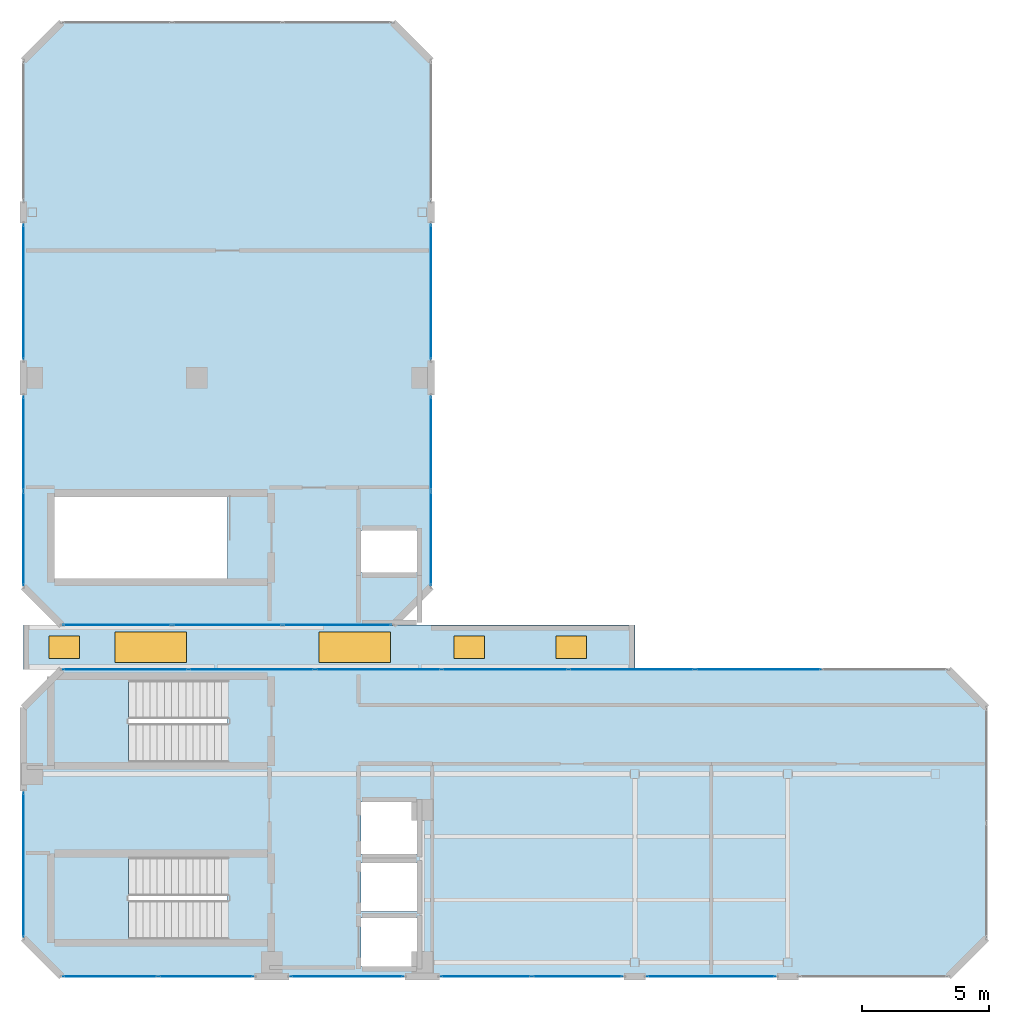
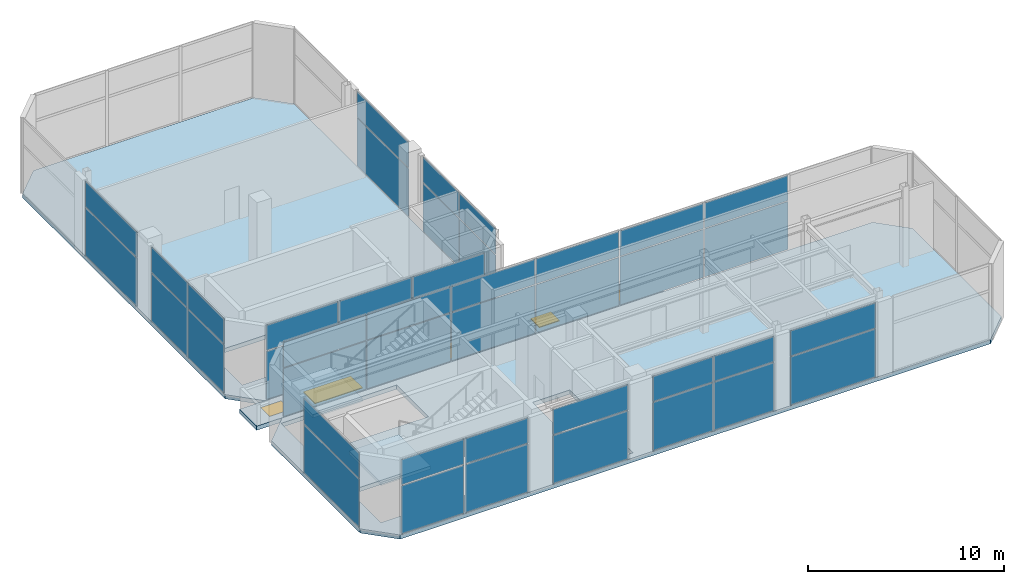
# One storey, part 15 of 18: 44 plates, 5 slabs, 3 doors, 2 windows, 5 openings, 13 elements without a shape of their own.
"""IFC4 building model written with IfcOpenShell, lengths in metres."""

import ifcopenshell
import ifcopenshell.guid

model = None  # the IFC model being written
_history = None  # IfcOwnerHistory: only IFC2X3 demands one
_inside = {}  # id of a spatial element -> (the spatial element, [elements in it])
_under = {}  # id of a project, library or spatial element -> (it, [spatial elements below it])
_declared = {}  # id of a project -> (the project, [libraries it declares])
_typed = {}  # id of a type object -> (the type object, [elements of that type])
_made_of = {}  # id of a material, layer set ... -> (it, [elements and type objects made of it])


def new_model(schema):
    """Start an empty IFC model of exactly this schema.

    Asked for "IFC4X3", IfcOpenShell would pick the latest addendum, in which some entities
    have other attributes; the version numbers below select the first issue.
    IFC2X3 requires an IfcOwnerHistory on every rooted entity: one is made here for all.
    """
    global model, _history
    if schema == "IFC4X3":
        model = ifcopenshell.file(schema_version=(4, 3, 0, 0))
    else:
        model = ifcopenshell.file(schema=schema)
    _inside.clear()
    _under.clear()
    _declared.clear()
    _typed.clear()
    _made_of.clear()
    _history = None
    if model.schema == "IFC2X3":
        org = make("IfcOrganization", Name="unknown")
        user = make(
            "IfcPersonAndOrganization",
            ThePerson=make("IfcPerson", FamilyName="unknown"),
            TheOrganization=org,
        )
        app = make(
            "IfcApplication",
            ApplicationDeveloper=org,
            Version="unknown",
            ApplicationFullName="unknown",
            ApplicationIdentifier="unknown",
        )
        _history = make(
            "IfcOwnerHistory",
            OwningUser=user,
            OwningApplication=app,
            ChangeAction="ADDED",
            CreationDate=0,
        )
    return model


def make(cls, **values):
    """One entity of the class cls with the attributes given. An attribute that is None is left unset."""
    return model.create_entity(
        cls, **{name: value for name, value in values.items() if value is not None}
    )


def rooted(cls, **values):
    """An entity with a GlobalId (a new one), such as an element, a storey or a relation."""
    return make(cls, GlobalId=ifcopenshell.guid.new(), OwnerHistory=_history, **values)


def si_unit(unit_type, name, prefix=None):
    """IfcSIUnit, for example si_unit("LENGTHUNIT", "METRE", prefix="MILLI")."""
    return make("IfcSIUnit", UnitType=unit_type, Prefix=prefix, Name=name)


def assignment(units):
    """IfcUnitAssignment: the units of a project."""
    return None if units is None else make("IfcUnitAssignment", Units=units)


def point(xyz):
    """IfcCartesianPoint."""
    return None if xyz is None else make("IfcCartesianPoint", Coordinates=xyz)


def direction(xyz):
    """IfcDirection."""
    return None if xyz is None else make("IfcDirection", DirectionRatios=xyz)


def frame(location, z_axis=None, x_axis=None):
    """IfcAxis2Placement3D, a coordinate frame: its origin and axes. An axis left out is left unset."""
    return make(
        "IfcAxis2Placement3D",
        Location=point(location),
        Axis=direction(z_axis),
        RefDirection=direction(x_axis),
    )


def frame_2d(location, x_axis=None):
    """IfcAxis2Placement2D, a coordinate frame in the plane: its origin and x axis."""
    return make(
        "IfcAxis2Placement2D", Location=point(location), RefDirection=direction(x_axis)
    )


def origin():
    """The frame at (0, 0, 0) with its axes left unset."""
    return frame((0.0, 0.0, 0.0))


def origin_2d():
    """The frame at (0, 0) in the plane with its x axis left unset."""
    return frame_2d((0.0, 0.0))


def place(relative_to, where):
    """IfcLocalPlacement: puts the frame where relative to a parent placement (None: the world)."""
    return make(
        "IfcLocalPlacement", PlacementRelTo=relative_to, RelativePlacement=where
    )


def context(
    kind, dimensions, precision=None, world=None, true_north=None, identifier=None
):
    """IfcGeometricRepresentationContext, for example the 3D "Model" context."""
    return make(
        "IfcGeometricRepresentationContext",
        ContextIdentifier=identifier,
        ContextType=kind,
        CoordinateSpaceDimension=dimensions,
        Precision=precision,
        WorldCoordinateSystem=world,
        TrueNorth=true_north,
    )


def subcontext(parent, identifier, kind, view, scale=None):
    """IfcGeometricRepresentationSubContext, for example "Body" below "Model"."""
    return make(
        "IfcGeometricRepresentationSubContext",
        ContextIdentifier=identifier,
        ContextType=kind,
        ParentContext=parent,
        TargetScale=scale,
        TargetView=view,
    )


def project(units=None, contexts=None):
    """IfcProject with its units and contexts."""
    return rooted(
        "IfcProject",
        Name="project",
        RepresentationContexts=contexts,
        UnitsInContext=assignment(units),
    )


def spatial(cls, under=None, at=None, **own):
    """A site, building, storey or space (cls), placed at a placement, below another one or the project."""
    s = rooted(cls, ObjectPlacement=at, **own)
    if under is not None:
        _under.setdefault(under.id(), (under, []))[1].append(s)
    return s


def polyline(points):
    """IfcPolyline through the points."""
    return make("IfcPolyline", Points=[point(p) for p in points])


def profile(cls, at=None, kind="AREA", **sizes):
    """A parametric profile (cls). Its sizes go by their IFC names, for example OverallWidth=200.0."""
    return make(cls, ProfileType=kind, Position=at, **sizes)


def rectangle(**sizes):
    """IfcRectangleProfileDef."""
    return profile("IfcRectangleProfileDef", **sizes)


def outline(outer, holes=None, kind="AREA"):
    """IfcArbitraryClosedProfileDef: a profile drawn as a closed curve; with holes, ...WithVoids."""
    if holes is None:
        return make("IfcArbitraryClosedProfileDef", ProfileType=kind, OuterCurve=outer)
    return make(
        "IfcArbitraryProfileDefWithVoids",
        ProfileType=kind,
        OuterCurve=outer,
        InnerCurves=holes,
    )


def extrude(swept, where, along, depth):
    """IfcExtrudedAreaSolid: the profile swept, set in the frame where, extruded along a direction by depth."""
    return make(
        "IfcExtrudedAreaSolid",
        SweptArea=swept,
        Position=where,
        ExtrudedDirection=direction(along),
        Depth=depth,
    )


def shape(context_of_items, identifier, shape_type, items):
    """IfcShapeRepresentation: the items that make up one representation, for example the "Body"."""
    return make(
        "IfcShapeRepresentation",
        ContextOfItems=context_of_items,
        RepresentationIdentifier=identifier,
        RepresentationType=shape_type,
        Items=items,
    )


def material(Name=None, Category=None):
    """IfcMaterial."""
    return make("IfcMaterial", Name=Name, Category=Category)


def layer(
    of_material, thickness, ventilated=None, Name=None, Category=None, Priority=None
):
    """IfcMaterialLayer: one layer of a wall or slab, of a material (None: an air gap)."""
    return make(
        "IfcMaterialLayer",
        Material=of_material,
        LayerThickness=thickness,
        IsVentilated=ventilated,
        Name=Name,
        Category=Category,
        Priority=Priority,
    )


def layer_set(layers, Name=None):
    """IfcMaterialLayerSet."""
    return make("IfcMaterialLayerSet", MaterialLayers=layers, LayerSetName=Name)


def made_of(thing, what):
    """Note that an element or type object is made of a material, layer set ...; save() writes the relation."""
    if what is not None:
        _made_of.setdefault(what.id(), (what, []))[1].append(thing)
    return thing


def type_object(cls, material=None, **own):
    """A type object (cls), such as IfcWallType, which elements share."""
    return made_of(rooted(cls, **own), material)


def element(
    cls,
    number,
    at=None,
    inside=None,
    cuts=None,
    type_object=None,
    material=None,
    context=None,
    identifier="Body",
    shape_type=None,
    held_by="IfcProductDefinitionShape",
    body=None,
    shapes=None,
    **own,
):
    """One element of the class cls, such as IfcWall. Its Tag is "e" and its number.

    at: its placement. inside: the storey or other place that contains it. cuts: it is an
    opening in that element (IfcRelVoidsElement). A single representation is given by context,
    identifier, shape_type and body (its items); several are given by shapes. held_by: the class
    of the entity that holds the representations. save() writes the other relations.
    """
    e = rooted(cls, Tag="e%d" % number, ObjectPlacement=at, **own)
    if body is not None:
        shapes = [shape(context, identifier, shape_type, body)]
    if shapes is not None:
        e.Representation = make(held_by, Representations=shapes)
    if inside is not None:
        _inside.setdefault(inside.id(), (inside, []))[1].append(e)
    if cuts is not None:
        rooted(
            "IfcRelVoidsElement", RelatingBuildingElement=cuts, RelatedOpeningElement=e
        )
    if type_object is not None:
        _typed.setdefault(type_object.id(), (type_object, []))[1].append(e)
    return made_of(e, material)


def fill(opening, filler):
    """IfcRelFillsElement: the door or window that sits in an opening."""
    return rooted(
        "IfcRelFillsElement",
        RelatingOpeningElement=opening,
        RelatedBuildingElement=filler,
    )


def aggregate(whole, parts):
    """IfcRelAggregates: a whole, such as a stair, and the parts it consists of."""
    return rooted("IfcRelAggregates", RelatingObject=whole, RelatedObjects=parts)


def save(model, path):
    """Write the relations noted so far, then the file.

    IfcRelAggregates (storeys below a building ...), IfcRelContainedInSpatialStructure (elements
    in a storey), IfcRelDefinesByType, IfcRelAssociatesMaterial and IfcRelDeclares: one each for
    every whole, place, type object, material and project.
    """
    for whole, parts in _under.values():
        aggregate(whole, parts)
    for where, things in _inside.values():
        rooted(
            "IfcRelContainedInSpatialStructure",
            RelatedElements=things,
            RelatingStructure=where,
        )
    for kind, things in _typed.values():
        rooted("IfcRelDefinesByType", RelatedObjects=things, RelatingType=kind)
    for what, things in _made_of.values():
        rooted("IfcRelAssociatesMaterial", RelatedObjects=things, RelatingMaterial=what)
    for by, libraries in _declared.values():
        rooted("IfcRelDeclares", RelatingContext=by, RelatedDefinitions=libraries)
    model.write(path)


model = new_model("IFC4")

# Units and contexts
model_context = context("Model", 3, precision=1e-05, world=origin(), true_north=direction((0.0, 1.0)))
body_context = subcontext(model_context, "Body", "Model", "MODEL_VIEW")
ifc_project = project(units=[si_unit("LENGTHUNIT", "METRE"), si_unit("AREAUNIT", "SQUARE_METRE"), si_unit("VOLUMEUNIT", "CUBIC_METRE"), si_unit("PLANEANGLEUNIT", "RADIAN"), si_unit("MASSUNIT", "GRAM", prefix="KILO")], contexts=[model_context])

# Site, building, storey
site_placement = place(None, origin())
site = spatial("IfcSite", under=ifc_project, at=site_placement, CompositionType="ELEMENT")
building_placement = place(site_placement, origin())
building = spatial("IfcBuilding", under=site, at=building_placement, Name="Mawjaban Terraces University", CompositionType="ELEMENT")
storey_placement = place(building_placement, frame((0.0, 0.0, 316.699951171875)))
storey = spatial("IfcBuildingStorey", under=building, at=storey_placement, Name="L77", CompositionType="ELEMENT", Elevation=316.699951171875)

# Slabs
ifc_material_1 = material(Name="Concrete C40/50", Category="concrete")
ifc_layer_1 = layer(ifc_material_1, 0.260009765625)
ifc_layer_set_1 = layer_set([ifc_layer_1], Name="Concrete C40/50")
slab_type_1 = type_object("IfcSlabType", Name="DiaphragmSlab_260", PredefinedType="FLOOR", material=ifc_layer_set_1)
slab_1_placement = place(storey_placement, frame((0.0, 0.0, -0.260009765625)))
element("IfcSlab", 1, at=slab_1_placement, inside=storey, type_object=slab_type_1, Name="L77 Primary Structural Slab", PredefinedType="FLOOR", context=body_context, shape_type="SweptSolid", body=[
    extrude(outline(polyline([(23.5, 0.0), (58.300048828125, 0.0), (59.800048828125, 1.5), (59.800048828125, 10.550048828125), (58.300048828125, 12.050048828125), (23.5, 12.050048828125), (22.0, 10.550048828125), (22.0, 1.5), (23.5, 0.0)]), holes=[polyline([(30.014892578125, 4.699951171875), (23.199951171875, 4.699951171875), (23.199951171875, 1.449951171875), (30.014892578125, 1.449951171875), (30.014892578125, 4.699951171875)]), polyline([(30.014892578125, 11.64990234375), (23.199951171875, 11.64990234375), (23.199951171875, 8.39990234375), (30.014892578125, 8.39990234375), (30.014892578125, 11.64990234375)]), polyline([(35.25, 0.39990234375), (37.449951171875, 0.39990234375), (37.449951171875, 2.300048828125), (35.25, 2.300048828125), (35.25, 0.39990234375)]), polyline([(35.25, 2.550048828125), (37.449951171875, 2.550048828125), (37.449951171875, 4.449951171875), (35.25, 4.449951171875), (35.25, 2.550048828125)]), polyline([(35.25, 4.800048828125), (37.449951171875, 4.800048828125), (37.449951171875, 6.85009765625), (35.25, 6.85009765625), (35.25, 4.800048828125)])]), origin(), (0.0, 0.0, 1.0), 0.260009765625),
])
slab_2_placement = place(storey_placement, frame((0.0, 0.0, -0.260009765625)))
element("IfcSlab", 2, at=slab_2_placement, inside=storey, type_object=slab_type_1, Name="L77 North Peak Structural Slab", PredefinedType="FLOOR", context=body_context, shape_type="SweptSolid", body=[
    extrude(outline(polyline([(23.5, 13.800048828125), (36.5, 13.800048828125), (38.0, 15.300048828125), (38.0, 35.949951171875), (36.5, 37.449951171875), (23.5, 37.449951171875), (22.0, 35.949951171875), (22.0, 15.300048828125), (23.5, 13.800048828125)]), holes=[polyline([(30.014892578125, 18.85009765625), (23.199951171875, 18.85009765625), (23.199951171875, 15.60009765625), (30.014892578125, 15.60009765625), (30.014892578125, 18.85009765625)]), polyline([(35.25, 15.85009765625), (37.449951171875, 15.85009765625), (37.449951171875, 17.5), (35.25, 17.5), (35.25, 15.85009765625)])]), origin(), (0.0, 0.0, 1.0), 0.260009765625),
])

# Stair, slab
stair_type = type_object("IfcStairType", Name="Stair_Core1550_H50", PredefinedType="HALF_TURN_STAIR", material=ifc_material_1)
stair_1_placement = place(storey_placement, origin())
stair_1 = element("IfcStair", 3, at=stair_1_placement, inside=storey, type_object=stair_type, Name="L77 Core Exit Stair 1", PredefinedType="HALF_TURN_STAIR")
ifc_layer_2 = layer(ifc_material_1, 0.199951171875)
ifc_layer_set_2 = layer_set([ifc_layer_2], Name="Concrete C40/50")
slab_type_2 = type_object("IfcSlabType", Name="StairLandingSlab_200", PredefinedType="LANDING", material=ifc_layer_set_2)
slab_3_placement = place(storey_placement, frame((0.0, 0.0, 2.300048828125)))
slab_3 = element("IfcSlab", 4, at=slab_3_placement, type_object=slab_type_2, Name="ST-1 landing 1", PredefinedType="LANDING", context=body_context, shape_type="SweptSolid", body=[
    extrude(outline(polyline([(26.1298828125, 4.699951171875), (23.199951171875, 4.699951171875), (23.199951171875, 1.449951171875), (26.1298828125, 1.449951171875), (26.1298828125, 4.699951171875)])), origin(), (0.0, 0.0, 1.0), 0.199951171875),
])
aggregate(stair_1, [slab_3])

stair_2_placement = place(storey_placement, origin())
stair_2 = element("IfcStair", 5, at=stair_2_placement, inside=storey, type_object=stair_type, Name="L77 Core Exit Stair 3", PredefinedType="HALF_TURN_STAIR")
slab_4_placement = place(storey_placement, frame((0.0, 0.0, 2.300048828125)))
slab_4 = element("IfcSlab", 6, at=slab_4_placement, type_object=slab_type_2, Name="ST-3 landing 1", PredefinedType="LANDING", context=body_context, shape_type="SweptSolid", body=[
    extrude(outline(polyline([(26.1298828125, 11.64990234375), (23.199951171875, 11.64990234375), (23.199951171875, 8.39990234375), (26.1298828125, 8.39990234375), (26.1298828125, 11.64990234375)])), origin(), (0.0, 0.0, 1.0), 0.199951171875),
])
aggregate(stair_2, [slab_4])

# Slab, openings, doors, windows
ifc_layer_3 = layer(ifc_material_1, 0.260009765625)
ifc_layer_set_3 = layer_set([ifc_layer_3], Name="Concrete C40/50")
slab_type_3 = type_object("IfcSlabType", Name="TerraceRoofSlab_260_Ext", PredefinedType="ROOF", material=ifc_layer_set_3)
slab_5_placement = place(storey_placement, frame((0.0, 0.0, -0.260009765625)))
slab_5 = element("IfcSlab", 7, at=slab_5_placement, inside=storey, type_object=slab_type_3, Name="L77 Central Sky-Slot Terrace Roof Slab", PredefinedType="ROOF", context=body_context, shape_type="SweptSolid", body=[
    extrude(outline(polyline([(22.0, 12.050048828125), (46.0, 12.050048828125), (46.0, 13.800048828125), (22.0, 13.800048828125), (22.0, 12.050048828125)])), origin(), (0.0, 0.0, 1.0), 0.260009765625),
])
opening_1_placement = place(slab_5_placement, frame((27.0, 12.925048828125, 0.0)))
opening_1 = element("IfcOpeningElement", 8, at=opening_1_placement, cuts=slab_5, Name="Opening SK-02", PredefinedType="OPENING", context=body_context, shape_type="SweptSolid", body=[
    extrude(rectangle(XDim=2.800048828125, YDim=1.199951171875, at=origin_2d()), origin(), (0.0, 0.0, 1.0), 0.260009765625),
])
opening_2_placement = place(slab_5_placement, frame((35.0, 12.925048828125, 0.0)))
opening_2 = element("IfcOpeningElement", 9, at=opening_2_placement, cuts=slab_5, Name="Opening SK-02", PredefinedType="OPENING", context=body_context, shape_type="SweptSolid", body=[
    extrude(rectangle(XDim=2.800048828125, YDim=1.199951171875, at=origin_2d()), origin(), (0.0, 0.0, 1.0), 0.260009765625),
])
opening_3_placement = place(slab_5_placement, frame((23.60009765625, 12.925048828125, 0.0)))
opening_3 = element("IfcOpeningElement", 10, at=opening_3_placement, cuts=slab_5, Name="Opening RH-120", PredefinedType="OPENING", context=body_context, shape_type="SweptSolid", body=[
    extrude(rectangle(XDim=1.199951171875, YDim=0.89990234375, at=origin_2d()), origin(), (0.0, 0.0, 1.0), 0.260009765625),
])
opening_4_placement = place(slab_5_placement, frame((39.5, 12.925048828125, 0.0)))
opening_4 = element("IfcOpeningElement", 11, at=opening_4_placement, cuts=slab_5, Name="Opening RH-120", PredefinedType="OPENING", context=body_context, shape_type="SweptSolid", body=[
    extrude(rectangle(XDim=1.199951171875, YDim=0.89990234375, at=origin_2d()), origin(), (0.0, 0.0, 1.0), 0.260009765625),
])
opening_5_placement = place(slab_5_placement, frame((43.5, 12.925048828125, 0.0)))
opening_5 = element("IfcOpeningElement", 12, at=opening_5_placement, cuts=slab_5, Name="Opening RH-120", PredefinedType="OPENING", context=body_context, shape_type="SweptSolid", body=[
    extrude(rectangle(XDim=1.199951171875, YDim=0.89990234375, at=origin_2d()), origin(), (0.0, 0.0, 1.0), 0.260009765625),
])
ifc_material_2 = material(Name="Thermally broken insulated aluminium roof access hatch", Category="aluminium")
door_type = type_object("IfcDoorType", Name="RoofAccessTrapdoor_1200x900", OperationType="NOTDEFINED", PredefinedType="TRAPDOOR", material=ifc_material_2)
door_1_placement = place(opening_3_placement, frame((0.0, 0.0, 0.2099609375)))
door_1 = element("IfcDoor", 13, at=door_1_placement, inside=storey, type_object=door_type, Name="L77 Sky-Slot Maintenance Hatch 1", OperationType="SINGLE_SWING_LEFT", OverallHeight=0.89990234375, OverallWidth=1.199951171875, PredefinedType="TRAPDOOR", context=body_context, shape_type="SweptSolid", body=[
    extrude(rectangle(XDim=1.199951171875, YDim=0.89990234375, at=origin_2d()), origin(), (0.0, 0.0, 1.0), 0.050048828125),
])
fill(opening_3, door_1)
door_2_placement = place(opening_4_placement, frame((0.0, 0.0, 0.2099609375)))
door_2 = element("IfcDoor", 14, at=door_2_placement, inside=storey, type_object=door_type, Name="L77 Sky-Slot Maintenance Hatch 2", OperationType="SINGLE_SWING_LEFT", OverallHeight=0.89990234375, OverallWidth=1.199951171875, PredefinedType="TRAPDOOR", context=body_context, shape_type="SweptSolid", body=[
    extrude(rectangle(XDim=1.199951171875, YDim=0.89990234375, at=origin_2d()), origin(), (0.0, 0.0, 1.0), 0.050048828125),
])
fill(opening_4, door_2)
door_3_placement = place(opening_5_placement, frame((0.0, 0.0, 0.2099609375)))
door_3 = element("IfcDoor", 15, at=door_3_placement, inside=storey, type_object=door_type, Name="L77 Sky-Slot Maintenance Hatch 3", OperationType="SINGLE_SWING_LEFT", OverallHeight=0.89990234375, OverallWidth=1.199951171875, PredefinedType="TRAPDOOR", context=body_context, shape_type="SweptSolid", body=[
    extrude(rectangle(XDim=1.199951171875, YDim=0.89990234375, at=origin_2d()), origin(), (0.0, 0.0, 1.0), 0.050048828125),
])
fill(opening_5, door_3)
ifc_material_3 = material(Name="Low-E solar-control double glazing in thermally broken aluminium frame", Category="aluminium")
window_type = type_object("IfcWindowType", Name="Skylight_2800x1200", PartitioningType="SINGLE_PANEL", PredefinedType="SKYLIGHT", material=ifc_material_3)
window_1_placement = place(opening_1_placement, frame((0.0, 0.0, 0.2099609375)))
window_1 = element("IfcWindow", 16, at=window_1_placement, inside=storey, type_object=window_type, Name="L77 Observation Sky-Slot Skylight 1", OverallHeight=1.199951171875, OverallWidth=2.800048828125, PartitioningType="SINGLE_PANEL", PredefinedType="SKYLIGHT", context=body_context, shape_type="SweptSolid", body=[
    extrude(rectangle(XDim=2.800048828125, YDim=1.199951171875, at=origin_2d()), origin(), (0.0, 0.0, 1.0), 0.050048828125),
])
fill(opening_1, window_1)
window_2_placement = place(opening_2_placement, frame((0.0, 0.0, 0.2099609375)))
window_2 = element("IfcWindow", 17, at=window_2_placement, inside=storey, type_object=window_type, Name="L77 Observation Sky-Slot Skylight 2", OverallHeight=1.199951171875, OverallWidth=2.800048828125, PartitioningType="SINGLE_PANEL", PredefinedType="SKYLIGHT", context=body_context, shape_type="SweptSolid", body=[
    extrude(rectangle(XDim=2.800048828125, YDim=1.199951171875, at=origin_2d()), origin(), (0.0, 0.0, 1.0), 0.050048828125),
])
fill(opening_2, window_2)

# Curtain wall, plates
ifc_material_4 = material(Name="Anodised aluminium 6063-T6 and solar-control low-E glass", Category="aluminium")
ifc_layer_4 = layer(ifc_material_4, 0.199951171875)
ifc_layer_set_4 = layer_set([ifc_layer_4], Name="Anodised aluminium 6063-T6 and solar-control low-E glass")
curtain_wall_type = type_object("IfcCurtainWallType", Name="CWSystem_06_ObservationCrown", PredefinedType="NOTDEFINED", material=ifc_layer_set_4)
curtain_wall_1_placement = place(storey_placement, origin())
curtain_wall_1 = element("IfcCurtainWall", 18, at=curtain_wall_1_placement, inside=storey, type_object=curtain_wall_type, Name="L77 Curtain Wall CW-06 Run 1.1", PredefinedType="NOTDEFINED")
ifc_material_5 = material(Name="Low-E solar-control double glazing", Category="glass")
ifc_layer_5 = layer(ifc_material_5, 0.035888671875)
ifc_layer_set_5 = layer_set([ifc_layer_5], Name="Low-E solar-control double glazing")
plate_type = type_object("IfcPlateType", Name="VisionPanel_CW-06", PredefinedType="CURTAIN_PANEL", material=ifc_layer_set_5)
plate_1_placement = place(storey_placement, frame((25.409912109375, 0.0, 0.06005859375), z_axis=(0.0, 0.0, 1.0), x_axis=(1.0, 0.0, 0.0)))
plate_1 = element("IfcPlate", 19, at=plate_1_placement, type_object=plate_type, Name="CW-06 panel 1.1", PredefinedType="CURTAIN_PANEL", context=body_context, shape_type="SweptSolid", body=[
    extrude(rectangle(XDim=3.68994140625, YDim=0.028076171875, at=origin_2d()), origin(), (0.0, 0.0, 1.0), 2.990966796875),
])
plate_2_placement = place(storey_placement, frame((25.409912109375, 0.0, 3.11083984375), z_axis=(0.0, 0.0, 1.0), x_axis=(1.0, 0.0, 0.0)))
plate_2 = element("IfcPlate", 20, at=plate_2_placement, type_object=plate_type, Name="CW-06 panel 1.2", PredefinedType="CURTAIN_PANEL", context=body_context, shape_type="SweptSolid", body=[
    extrude(rectangle(XDim=3.68994140625, YDim=0.028076171875, at=origin_2d()), origin(), (0.0, 0.0, 1.0), 1.569091796875),
])
plate_3_placement = place(storey_placement, frame((29.1650390625, 0.0, 0.06005859375), z_axis=(0.0, 0.0, 1.0), x_axis=(1.0, 0.0, 0.0)))
plate_3 = element("IfcPlate", 21, at=plate_3_placement, type_object=plate_type, Name="CW-06 panel 2.1", PredefinedType="CURTAIN_PANEL", context=body_context, shape_type="SweptSolid", body=[
    extrude(rectangle(XDim=3.68994140625, YDim=0.028076171875, at=origin_2d()), origin(), (0.0, 0.0, 1.0), 2.990966796875),
])
plate_4_placement = place(storey_placement, frame((29.1650390625, 0.0, 3.11083984375), z_axis=(0.0, 0.0, 1.0), x_axis=(1.0, 0.0, 0.0)))
plate_4 = element("IfcPlate", 22, at=plate_4_placement, type_object=plate_type, Name="CW-06 panel 2.2", PredefinedType="CURTAIN_PANEL", context=body_context, shape_type="SweptSolid", body=[
    extrude(rectangle(XDim=3.68994140625, YDim=0.028076171875, at=origin_2d()), origin(), (0.0, 0.0, 1.0), 1.569091796875),
])
aggregate(curtain_wall_1, [plate_1, plate_2, plate_3, plate_4])

curtain_wall_2_placement = place(storey_placement, origin())
curtain_wall_2 = element("IfcCurtainWall", 23, at=curtain_wall_2_placement, inside=storey, type_object=curtain_wall_type, Name="L77 Curtain Wall CW-06 Run 1.2", PredefinedType="NOTDEFINED")
plate_5_placement = place(storey_placement, frame((34.699951171875, 0.0, 0.06005859375), z_axis=(0.0, 0.0, 1.0), x_axis=(1.0, 0.0, 0.0)))
plate_5 = element("IfcPlate", 24, at=plate_5_placement, type_object=plate_type, Name="CW-06 panel 1.1", PredefinedType="CURTAIN_PANEL", context=body_context, shape_type="SweptSolid", body=[
    extrude(rectangle(XDim=4.419921875, YDim=0.028076171875, at=origin_2d()), origin(), (0.0, 0.0, 1.0), 2.990966796875),
])
plate_6_placement = place(storey_placement, frame((34.699951171875, 0.0, 3.11083984375), z_axis=(0.0, 0.0, 1.0), x_axis=(1.0, 0.0, 0.0)))
plate_6 = element("IfcPlate", 25, at=plate_6_placement, type_object=plate_type, Name="CW-06 panel 1.2", PredefinedType="CURTAIN_PANEL", context=body_context, shape_type="SweptSolid", body=[
    extrude(rectangle(XDim=4.419921875, YDim=0.028076171875, at=origin_2d()), origin(), (0.0, 0.0, 1.0), 1.569091796875),
])
aggregate(curtain_wall_2, [plate_5, plate_6])

curtain_wall_3_placement = place(storey_placement, origin())
curtain_wall_3 = element("IfcCurtainWall", 26, at=curtain_wall_3_placement, inside=storey, type_object=curtain_wall_type, Name="L77 Curtain Wall CW-06 Run 1.3", PredefinedType="NOTDEFINED")
plate_7_placement = place(storey_placement, frame((40.15380859375, 0.0, 0.06005859375), z_axis=(0.0, 0.0, 1.0), x_axis=(1.0, 0.0, 0.0)))
plate_7 = element("IfcPlate", 27, at=plate_7_placement, type_object=plate_type, Name="CW-06 panel 1.1", PredefinedType="CURTAIN_PANEL", context=body_context, shape_type="SweptSolid", body=[
    extrude(rectangle(XDim=3.527587890625, YDim=0.028076171875, at=origin_2d()), origin(), (0.0, 0.0, 1.0), 2.990966796875),
])
plate_8_placement = place(storey_placement, frame((40.15380859375, 0.0, 3.11083984375), z_axis=(0.0, 0.0, 1.0), x_axis=(1.0, 0.0, 0.0)))
plate_8 = element("IfcPlate", 28, at=plate_8_placement, type_object=plate_type, Name="CW-06 panel 1.2", PredefinedType="CURTAIN_PANEL", context=body_context, shape_type="SweptSolid", body=[
    extrude(rectangle(XDim=3.527587890625, YDim=0.028076171875, at=origin_2d()), origin(), (0.0, 0.0, 1.0), 1.569091796875),
])
plate_9_placement = place(storey_placement, frame((43.746337890625, 0.0, 0.06005859375), z_axis=(0.0, 0.0, 1.0), x_axis=(1.0, 0.0, 0.0)))
plate_9 = element("IfcPlate", 29, at=plate_9_placement, type_object=plate_type, Name="CW-06 panel 2.1", PredefinedType="CURTAIN_PANEL", context=body_context, shape_type="SweptSolid", body=[
    extrude(rectangle(XDim=3.527587890625, YDim=0.028076171875, at=origin_2d()), origin(), (0.0, 0.0, 1.0), 2.990966796875),
])
plate_10_placement = place(storey_placement, frame((43.746337890625, 0.0, 3.11083984375), z_axis=(0.0, 0.0, 1.0), x_axis=(1.0, 0.0, 0.0)))
plate_10 = element("IfcPlate", 30, at=plate_10_placement, type_object=plate_type, Name="CW-06 panel 2.2", PredefinedType="CURTAIN_PANEL", context=body_context, shape_type="SweptSolid", body=[
    extrude(rectangle(XDim=3.527587890625, YDim=0.028076171875, at=origin_2d()), origin(), (0.0, 0.0, 1.0), 1.569091796875),
])
aggregate(curtain_wall_3, [plate_7, plate_8, plate_9, plate_10])

curtain_wall_4_placement = place(storey_placement, origin())
curtain_wall_4 = element("IfcCurtainWall", 31, at=curtain_wall_4_placement, inside=storey, type_object=curtain_wall_type, Name="L77 Curtain Wall CW-06 Run 1.4", PredefinedType="NOTDEFINED")
plate_11_placement = place(storey_placement, frame((49.0, 0.0, 0.06005859375), z_axis=(0.0, 0.0, 1.0), x_axis=(1.0, 0.0, 0.0)))
plate_11 = element("IfcPlate", 32, at=plate_11_placement, type_object=plate_type, Name="CW-06 panel 1.1", PredefinedType="CURTAIN_PANEL", context=body_context, shape_type="SweptSolid", body=[
    extrude(rectangle(XDim=5.02001953125, YDim=0.028076171875, at=origin_2d()), origin(), (0.0, 0.0, 1.0), 2.990966796875),
])
plate_12_placement = place(storey_placement, frame((49.0, 0.0, 3.11083984375), z_axis=(0.0, 0.0, 1.0), x_axis=(1.0, 0.0, 0.0)))
plate_12 = element("IfcPlate", 33, at=plate_12_placement, type_object=plate_type, Name="CW-06 panel 1.2", PredefinedType="CURTAIN_PANEL", context=body_context, shape_type="SweptSolid", body=[
    extrude(rectangle(XDim=5.02001953125, YDim=0.028076171875, at=origin_2d()), origin(), (0.0, 0.0, 1.0), 1.569091796875),
])
aggregate(curtain_wall_4, [plate_11, plate_12])

curtain_wall_5_placement = place(storey_placement, origin())
curtain_wall_5 = element("IfcCurtainWall", 34, at=curtain_wall_5_placement, inside=storey, type_object=curtain_wall_type, Name="L77 Curtain Wall CW-06 Run 5.1", PredefinedType="NOTDEFINED")
plate_13_placement = place(storey_placement, frame((50.8427734375, 12.050048828125, 0.06005859375), z_axis=(0.0, 0.0, 1.0), x_axis=(-1.0, 0.0, 0.0)))
plate_13 = element("IfcPlate", 35, at=plate_13_placement, type_object=plate_type, Name="CW-06 panel 2.1", PredefinedType="CURTAIN_PANEL", context=body_context, shape_type="SweptSolid", body=[
    extrude(rectangle(XDim=4.906494140625, YDim=0.028076171875, at=origin_2d()), origin(), (0.0, 0.0, 1.0), 2.990966796875),
])
plate_14_placement = place(storey_placement, frame((50.8427734375, 12.050048828125, 3.11083984375), z_axis=(0.0, 0.0, 1.0), x_axis=(-1.0, 0.0, 0.0)))
plate_14 = element("IfcPlate", 36, at=plate_14_placement, type_object=plate_type, Name="CW-06 panel 2.2", PredefinedType="CURTAIN_PANEL", context=body_context, shape_type="SweptSolid", body=[
    extrude(rectangle(XDim=4.906494140625, YDim=0.028076171875, at=origin_2d()), origin(), (0.0, 0.0, 1.0), 1.569091796875),
])
plate_15_placement = place(storey_placement, frame((45.871337890625, 12.050048828125, 0.06005859375), z_axis=(0.0, 0.0, 1.0), x_axis=(-1.0, 0.0, 0.0)))
plate_15 = element("IfcPlate", 37, at=plate_15_placement, type_object=plate_type, Name="CW-06 panel 3.1", PredefinedType="CURTAIN_PANEL", context=body_context, shape_type="SweptSolid", body=[
    extrude(rectangle(XDim=4.906494140625, YDim=0.028076171875, at=origin_2d()), origin(), (0.0, 0.0, 1.0), 2.990966796875),
])
plate_16_placement = place(storey_placement, frame((45.871337890625, 12.050048828125, 3.11083984375), z_axis=(0.0, 0.0, 1.0), x_axis=(-1.0, 0.0, 0.0)))
plate_16 = element("IfcPlate", 38, at=plate_16_placement, type_object=plate_type, Name="CW-06 panel 3.2", PredefinedType="CURTAIN_PANEL", context=body_context, shape_type="SweptSolid", body=[
    extrude(rectangle(XDim=4.906494140625, YDim=0.028076171875, at=origin_2d()), origin(), (0.0, 0.0, 1.0), 1.569091796875),
])
plate_17_placement = place(storey_placement, frame((40.89990234375, 12.050048828125, 0.06005859375), z_axis=(0.0, 0.0, 1.0), x_axis=(-1.0, 0.0, 0.0)))
plate_17 = element("IfcPlate", 39, at=plate_17_placement, type_object=plate_type, Name="CW-06 panel 4.1", PredefinedType="CURTAIN_PANEL", context=body_context, shape_type="SweptSolid", body=[
    extrude(rectangle(XDim=4.906494140625, YDim=0.028076171875, at=origin_2d()), origin(), (0.0, 0.0, 1.0), 2.990966796875),
])
plate_18_placement = place(storey_placement, frame((40.89990234375, 12.050048828125, 3.11083984375), z_axis=(0.0, 0.0, 1.0), x_axis=(-1.0, 0.0, 0.0)))
plate_18 = element("IfcPlate", 40, at=plate_18_placement, type_object=plate_type, Name="CW-06 panel 4.2", PredefinedType="CURTAIN_PANEL", context=body_context, shape_type="SweptSolid", body=[
    extrude(rectangle(XDim=4.906494140625, YDim=0.028076171875, at=origin_2d()), origin(), (0.0, 0.0, 1.0), 1.569091796875),
])
plate_19_placement = place(storey_placement, frame((35.928466796875, 12.050048828125, 0.06005859375), z_axis=(0.0, 0.0, 1.0), x_axis=(-1.0, 0.0, 0.0)))
plate_19 = element("IfcPlate", 41, at=plate_19_placement, type_object=plate_type, Name="CW-06 panel 5.1", PredefinedType="CURTAIN_PANEL", context=body_context, shape_type="SweptSolid", body=[
    extrude(rectangle(XDim=4.906494140625, YDim=0.028076171875, at=origin_2d()), origin(), (0.0, 0.0, 1.0), 2.990966796875),
])
plate_20_placement = place(storey_placement, frame((35.928466796875, 12.050048828125, 3.11083984375), z_axis=(0.0, 0.0, 1.0), x_axis=(-1.0, 0.0, 0.0)))
plate_20 = element("IfcPlate", 42, at=plate_20_placement, type_object=plate_type, Name="CW-06 panel 5.2", PredefinedType="CURTAIN_PANEL", context=body_context, shape_type="SweptSolid", body=[
    extrude(rectangle(XDim=4.906494140625, YDim=0.028076171875, at=origin_2d()), origin(), (0.0, 0.0, 1.0), 1.569091796875),
])
plate_21_placement = place(storey_placement, frame((30.95703125, 12.050048828125, 0.06005859375), z_axis=(0.0, 0.0, 1.0), x_axis=(-1.0, 0.0, 0.0)))
plate_21 = element("IfcPlate", 43, at=plate_21_placement, type_object=plate_type, Name="CW-06 panel 6.1", PredefinedType="CURTAIN_PANEL", context=body_context, shape_type="SweptSolid", body=[
    extrude(rectangle(XDim=4.906494140625, YDim=0.028076171875, at=origin_2d()), origin(), (0.0, 0.0, 1.0), 2.990966796875),
])
plate_22_placement = place(storey_placement, frame((30.95703125, 12.050048828125, 3.11083984375), z_axis=(0.0, 0.0, 1.0), x_axis=(-1.0, 0.0, 0.0)))
plate_22 = element("IfcPlate", 44, at=plate_22_placement, type_object=plate_type, Name="CW-06 panel 6.2", PredefinedType="CURTAIN_PANEL", context=body_context, shape_type="SweptSolid", body=[
    extrude(rectangle(XDim=4.906494140625, YDim=0.028076171875, at=origin_2d()), origin(), (0.0, 0.0, 1.0), 1.569091796875),
])
plate_23_placement = place(storey_placement, frame((26.001953125, 12.050048828125, 0.06005859375), z_axis=(0.0, 0.0, 1.0), x_axis=(-1.0, 0.0, 0.0)))
plate_23 = element("IfcPlate", 45, at=plate_23_placement, type_object=plate_type, Name="CW-06 panel 7.1", PredefinedType="CURTAIN_PANEL", context=body_context, shape_type="SweptSolid", body=[
    extrude(rectangle(XDim=4.8740234375, YDim=0.028076171875, at=origin_2d()), origin(), (0.0, 0.0, 1.0), 2.990966796875),
])
plate_24_placement = place(storey_placement, frame((26.001953125, 12.050048828125, 3.11083984375), z_axis=(0.0, 0.0, 1.0), x_axis=(-1.0, 0.0, 0.0)))
plate_24 = element("IfcPlate", 46, at=plate_24_placement, type_object=plate_type, Name="CW-06 panel 7.2", PredefinedType="CURTAIN_PANEL", context=body_context, shape_type="SweptSolid", body=[
    extrude(rectangle(XDim=4.8740234375, YDim=0.028076171875, at=origin_2d()), origin(), (0.0, 0.0, 1.0), 1.569091796875),
])
aggregate(curtain_wall_5, [plate_13, plate_14, plate_15, plate_16, plate_17, plate_18, plate_19, plate_20, plate_21, plate_22, plate_23, plate_24])

curtain_wall_6_placement = place(storey_placement, origin())
curtain_wall_6 = element("IfcCurtainWall", 47, at=curtain_wall_6_placement, inside=storey, type_object=curtain_wall_type, Name="L77 Curtain Wall CW-06 Run 7.1", PredefinedType="NOTDEFINED")
plate_25_placement = place(storey_placement, frame((22.0, 4.387451171875, 0.06005859375), z_axis=(0.0, 0.0, 1.0), x_axis=(0.0, -1.0, 0.0)))
plate_25 = element("IfcPlate", 48, at=plate_25_placement, type_object=plate_type, Name="CW-06 panel 1.1", PredefinedType="CURTAIN_PANEL", context=body_context, shape_type="SweptSolid", body=[
    extrude(rectangle(XDim=5.64501953125, YDim=0.028076171875, at=origin_2d()), origin(), (0.0, 0.0, 1.0), 2.990966796875),
])
plate_26_placement = place(storey_placement, frame((22.0, 4.387451171875, 3.11083984375), z_axis=(0.0, 0.0, 1.0), x_axis=(0.0, -1.0, 0.0)))
plate_26 = element("IfcPlate", 49, at=plate_26_placement, type_object=plate_type, Name="CW-06 panel 1.2", PredefinedType="CURTAIN_PANEL", context=body_context, shape_type="SweptSolid", body=[
    extrude(rectangle(XDim=5.64501953125, YDim=0.028076171875, at=origin_2d()), origin(), (0.0, 0.0, 1.0), 1.569091796875),
])
aggregate(curtain_wall_6, [plate_25, plate_26])

curtain_wall_7_placement = place(storey_placement, origin())
curtain_wall_7 = element("IfcCurtainWall", 50, at=curtain_wall_7_placement, inside=storey, type_object=curtain_wall_type, Name="L77 Curtain Wall CW-06 Run 1.1", PredefinedType="NOTDEFINED")
plate_27_placement = place(storey_placement, frame((25.682861328125, 13.800048828125, 0.06005859375), z_axis=(0.0, 0.0, 1.0), x_axis=(1.0, 0.0, 0.0)))
plate_27 = element("IfcPlate", 51, at=plate_27_placement, type_object=plate_type, Name="CW-06 panel 1.1", PredefinedType="CURTAIN_PANEL", context=body_context, shape_type="SweptSolid", body=[
    extrude(rectangle(XDim=4.23583984375, YDim=0.028076171875, at=origin_2d()), origin(), (0.0, 0.0, 1.0), 2.990966796875),
])
plate_28_placement = place(storey_placement, frame((25.682861328125, 13.800048828125, 3.11083984375), z_axis=(0.0, 0.0, 1.0), x_axis=(1.0, 0.0, 0.0)))
plate_28 = element("IfcPlate", 52, at=plate_28_placement, type_object=plate_type, Name="CW-06 panel 1.2", PredefinedType="CURTAIN_PANEL", context=body_context, shape_type="SweptSolid", body=[
    extrude(rectangle(XDim=4.23583984375, YDim=0.028076171875, at=origin_2d()), origin(), (0.0, 0.0, 1.0), 1.569091796875),
])
plate_29_placement = place(storey_placement, frame((30.0, 13.800048828125, 0.06005859375), z_axis=(0.0, 0.0, 1.0), x_axis=(1.0, 0.0, 0.0)))
plate_29 = element("IfcPlate", 53, at=plate_29_placement, type_object=plate_type, Name="CW-06 panel 2.1", PredefinedType="CURTAIN_PANEL", context=body_context, shape_type="SweptSolid", body=[
    extrude(rectangle(XDim=4.268310546875, YDim=0.028076171875, at=origin_2d()), origin(), (0.0, 0.0, 1.0), 2.990966796875),
])
plate_30_placement = place(storey_placement, frame((30.0, 13.800048828125, 3.11083984375), z_axis=(0.0, 0.0, 1.0), x_axis=(1.0, 0.0, 0.0)))
plate_30 = element("IfcPlate", 54, at=plate_30_placement, type_object=plate_type, Name="CW-06 panel 2.2", PredefinedType="CURTAIN_PANEL", context=body_context, shape_type="SweptSolid", body=[
    extrude(rectangle(XDim=4.268310546875, YDim=0.028076171875, at=origin_2d()), origin(), (0.0, 0.0, 1.0), 1.569091796875),
])
plate_31_placement = place(storey_placement, frame((34.317138671875, 13.800048828125, 0.06005859375), z_axis=(0.0, 0.0, 1.0), x_axis=(1.0, 0.0, 0.0)))
plate_31 = element("IfcPlate", 55, at=plate_31_placement, type_object=plate_type, Name="CW-06 panel 3.1", PredefinedType="CURTAIN_PANEL", context=body_context, shape_type="SweptSolid", body=[
    extrude(rectangle(XDim=4.23583984375, YDim=0.028076171875, at=origin_2d()), origin(), (0.0, 0.0, 1.0), 2.990966796875),
])
plate_32_placement = place(storey_placement, frame((34.317138671875, 13.800048828125, 3.11083984375), z_axis=(0.0, 0.0, 1.0), x_axis=(1.0, 0.0, 0.0)))
plate_32 = element("IfcPlate", 56, at=plate_32_placement, type_object=plate_type, Name="CW-06 panel 3.2", PredefinedType="CURTAIN_PANEL", context=body_context, shape_type="SweptSolid", body=[
    extrude(rectangle(XDim=4.23583984375, YDim=0.028076171875, at=origin_2d()), origin(), (0.0, 0.0, 1.0), 1.569091796875),
])
aggregate(curtain_wall_7, [plate_27, plate_28, plate_29, plate_30, plate_31, plate_32])

curtain_wall_8_placement = place(storey_placement, origin())
curtain_wall_8 = element("IfcCurtainWall", 57, at=curtain_wall_8_placement, inside=storey, type_object=curtain_wall_type, Name="L77 Curtain Wall CW-06 Run 3.1", PredefinedType="NOTDEFINED")
plate_33_placement = place(storey_placement, frame((38.0, 17.197509765625, 0.06005859375), z_axis=(0.0, 0.0, 1.0), x_axis=(0.0, 1.0, 0.0)))
plate_33 = element("IfcPlate", 58, at=plate_33_placement, type_object=plate_type, Name="CW-06 panel 1.1", PredefinedType="CURTAIN_PANEL", context=body_context, shape_type="SweptSolid", body=[
    extrude(rectangle(XDim=3.6650390625, YDim=0.028076171875, at=origin_2d()), origin(), (0.0, 0.0, 1.0), 2.990966796875),
])
plate_34_placement = place(storey_placement, frame((38.0, 17.197509765625, 3.11083984375), z_axis=(0.0, 0.0, 1.0), x_axis=(0.0, 1.0, 0.0)))
plate_34 = element("IfcPlate", 59, at=plate_34_placement, type_object=plate_type, Name="CW-06 panel 1.2", PredefinedType="CURTAIN_PANEL", context=body_context, shape_type="SweptSolid", body=[
    extrude(rectangle(XDim=3.6650390625, YDim=0.028076171875, at=origin_2d()), origin(), (0.0, 0.0, 1.0), 1.569091796875),
])
plate_35_placement = place(storey_placement, frame((38.0, 20.927490234375, 0.06005859375), z_axis=(0.0, 0.0, 1.0), x_axis=(0.0, 1.0, 0.0)))
plate_35 = element("IfcPlate", 60, at=plate_35_placement, type_object=plate_type, Name="CW-06 panel 2.1", PredefinedType="CURTAIN_PANEL", context=body_context, shape_type="SweptSolid", body=[
    extrude(rectangle(XDim=3.6650390625, YDim=0.028076171875, at=origin_2d()), origin(), (0.0, 0.0, 1.0), 2.990966796875),
])
plate_36_placement = place(storey_placement, frame((38.0, 20.927490234375, 3.11083984375), z_axis=(0.0, 0.0, 1.0), x_axis=(0.0, 1.0, 0.0)))
plate_36 = element("IfcPlate", 61, at=plate_36_placement, type_object=plate_type, Name="CW-06 panel 2.2", PredefinedType="CURTAIN_PANEL", context=body_context, shape_type="SweptSolid", body=[
    extrude(rectangle(XDim=3.6650390625, YDim=0.028076171875, at=origin_2d()), origin(), (0.0, 0.0, 1.0), 1.569091796875),
])
aggregate(curtain_wall_8, [plate_33, plate_34, plate_35, plate_36])

curtain_wall_9_placement = place(storey_placement, origin())
curtain_wall_9 = element("IfcCurtainWall", 62, at=curtain_wall_9_placement, inside=storey, type_object=curtain_wall_type, Name="L77 Curtain Wall CW-06 Run 3.2", PredefinedType="NOTDEFINED")
plate_37_placement = place(storey_placement, frame((38.0, 26.875, 0.06005859375), z_axis=(0.0, 0.0, 1.0), x_axis=(0.0, 1.0, 0.0)))
plate_37 = element("IfcPlate", 63, at=plate_37_placement, type_object=plate_type, Name="CW-06 panel 1.1", PredefinedType="CURTAIN_PANEL", context=body_context, shape_type="SweptSolid", body=[
    extrude(rectangle(XDim=5.27001953125, YDim=0.028076171875, at=origin_2d()), origin(), (0.0, 0.0, 1.0), 2.990966796875),
])
plate_38_placement = place(storey_placement, frame((38.0, 26.875, 3.11083984375), z_axis=(0.0, 0.0, 1.0), x_axis=(0.0, 1.0, 0.0)))
plate_38 = element("IfcPlate", 64, at=plate_38_placement, type_object=plate_type, Name="CW-06 panel 1.2", PredefinedType="CURTAIN_PANEL", context=body_context, shape_type="SweptSolid", body=[
    extrude(rectangle(XDim=5.27001953125, YDim=0.028076171875, at=origin_2d()), origin(), (0.0, 0.0, 1.0), 1.569091796875),
])
aggregate(curtain_wall_9, [plate_37, plate_38])

curtain_wall_10_placement = place(storey_placement, origin())
curtain_wall_10 = element("IfcCurtainWall", 65, at=curtain_wall_10_placement, inside=storey, type_object=curtain_wall_type, Name="L77 Curtain Wall CW-06 Run 7.2", PredefinedType="NOTDEFINED")
plate_39_placement = place(storey_placement, frame((22.0, 26.875, 0.06005859375), z_axis=(0.0, 0.0, 1.0), x_axis=(0.0, -1.0, 0.0)))
plate_39 = element("IfcPlate", 66, at=plate_39_placement, type_object=plate_type, Name="CW-06 panel 1.1", PredefinedType="CURTAIN_PANEL", context=body_context, shape_type="SweptSolid", body=[
    extrude(rectangle(XDim=5.27001953125, YDim=0.028076171875, at=origin_2d()), origin(), (0.0, 0.0, 1.0), 2.990966796875),
])
plate_40_placement = place(storey_placement, frame((22.0, 26.875, 3.11083984375), z_axis=(0.0, 0.0, 1.0), x_axis=(0.0, -1.0, 0.0)))
plate_40 = element("IfcPlate", 67, at=plate_40_placement, type_object=plate_type, Name="CW-06 panel 1.2", PredefinedType="CURTAIN_PANEL", context=body_context, shape_type="SweptSolid", body=[
    extrude(rectangle(XDim=5.27001953125, YDim=0.028076171875, at=origin_2d()), origin(), (0.0, 0.0, 1.0), 1.569091796875),
])
aggregate(curtain_wall_10, [plate_39, plate_40])

curtain_wall_11_placement = place(storey_placement, origin())
curtain_wall_11 = element("IfcCurtainWall", 68, at=curtain_wall_11_placement, inside=storey, type_object=curtain_wall_type, Name="L77 Curtain Wall CW-06 Run 7.3", PredefinedType="NOTDEFINED")
plate_41_placement = place(storey_placement, frame((22.0, 20.927490234375, 0.06005859375), z_axis=(0.0, 0.0, 1.0), x_axis=(0.0, -1.0, 0.0)))
plate_41 = element("IfcPlate", 69, at=plate_41_placement, type_object=plate_type, Name="CW-06 panel 1.1", PredefinedType="CURTAIN_PANEL", context=body_context, shape_type="SweptSolid", body=[
    extrude(rectangle(XDim=3.6650390625, YDim=0.028076171875, at=origin_2d()), origin(), (0.0, 0.0, 1.0), 2.990966796875),
])
plate_42_placement = place(storey_placement, frame((22.0, 20.927490234375, 3.11083984375), z_axis=(0.0, 0.0, 1.0), x_axis=(0.0, -1.0, 0.0)))
plate_42 = element("IfcPlate", 70, at=plate_42_placement, type_object=plate_type, Name="CW-06 panel 1.2", PredefinedType="CURTAIN_PANEL", context=body_context, shape_type="SweptSolid", body=[
    extrude(rectangle(XDim=3.6650390625, YDim=0.028076171875, at=origin_2d()), origin(), (0.0, 0.0, 1.0), 1.569091796875),
])
plate_43_placement = place(storey_placement, frame((22.0, 17.197509765625, 0.06005859375), z_axis=(0.0, 0.0, 1.0), x_axis=(0.0, -1.0, 0.0)))
plate_43 = element("IfcPlate", 71, at=plate_43_placement, type_object=plate_type, Name="CW-06 panel 2.1", PredefinedType="CURTAIN_PANEL", context=body_context, shape_type="SweptSolid", body=[
    extrude(rectangle(XDim=3.6650390625, YDim=0.028076171875, at=origin_2d()), origin(), (0.0, 0.0, 1.0), 2.990966796875),
])
plate_44_placement = place(storey_placement, frame((22.0, 17.197509765625, 3.11083984375), z_axis=(0.0, 0.0, 1.0), x_axis=(0.0, -1.0, 0.0)))
plate_44 = element("IfcPlate", 72, at=plate_44_placement, type_object=plate_type, Name="CW-06 panel 2.2", PredefinedType="CURTAIN_PANEL", context=body_context, shape_type="SweptSolid", body=[
    extrude(rectangle(XDim=3.6650390625, YDim=0.028076171875, at=origin_2d()), origin(), (0.0, 0.0, 1.0), 1.569091796875),
])
aggregate(curtain_wall_11, [plate_41, plate_42, plate_43, plate_44])

save(model, "model.ifc")
